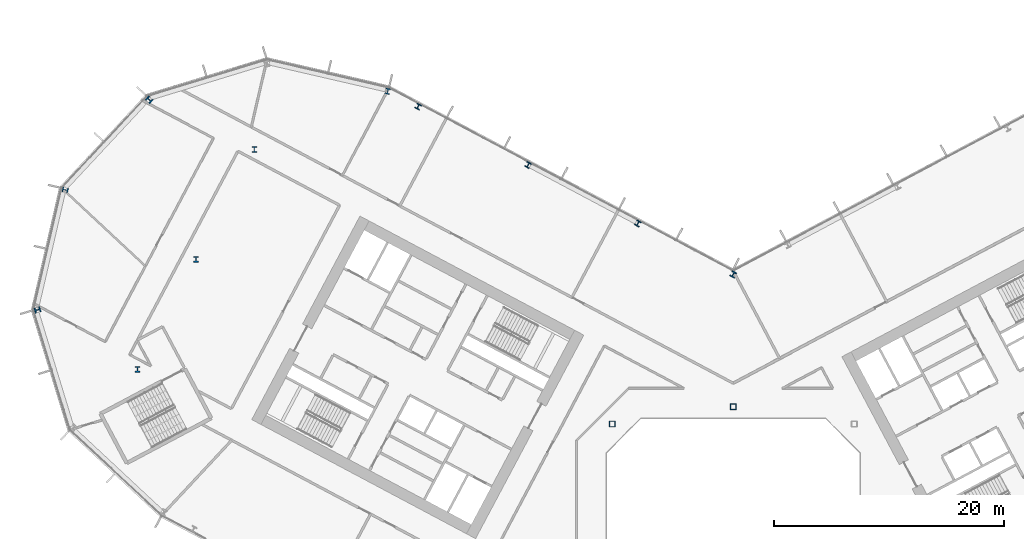
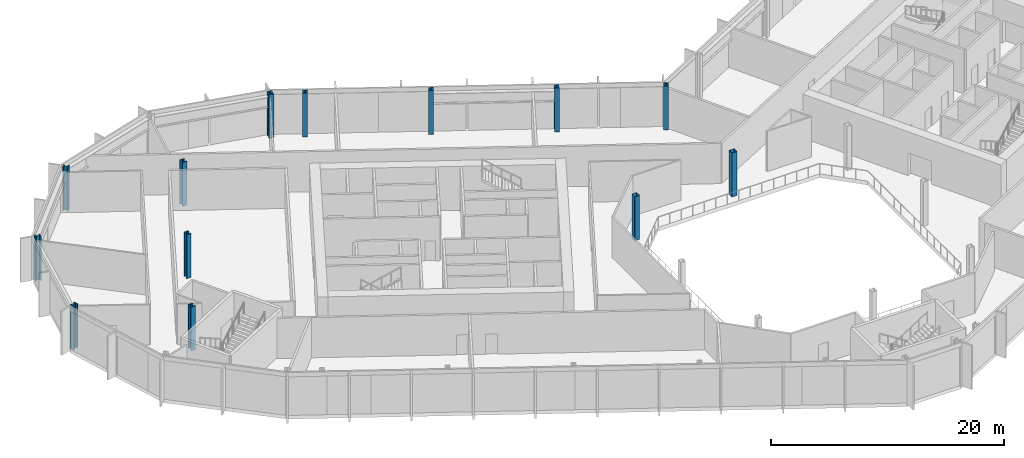
# One storey, part 2 of 32: 13 columns.
"""IFC4 building model written with IfcOpenShell, lengths in metres."""

from ifc_helpers import new_model, si_unit, direction, frame, origin, origin_2d, place, context, subcontext, project, spatial, hollow_rectangle, i_section, extrude, material, material_profile, profile_set, type_object, element, save


model = new_model("IFC4")

# Units and contexts
model_context = context("Model", 3, precision=1e-05, world=origin(), true_north=direction((0.0, 1.0)))
body_context = subcontext(model_context, "Body", "Model", "MODEL_VIEW")
ifc_project = project(units=[si_unit("LENGTHUNIT", "METRE"), si_unit("AREAUNIT", "SQUARE_METRE"), si_unit("VOLUMEUNIT", "CUBIC_METRE"), si_unit("PLANEANGLEUNIT", "RADIAN"), si_unit("MASSUNIT", "GRAM", prefix="KILO")], contexts=[model_context])

# Site, building, storey
site_placement = place(None, origin())
site = spatial("IfcSite", under=ifc_project, at=site_placement, CompositionType="ELEMENT")
building_placement = place(site_placement, origin())
building = spatial("IfcBuilding", under=site, at=building_placement, Name="Cormorant Relay Tower", CompositionType="ELEMENT")
storey_placement = place(building_placement, frame((0.0, 0.0, 66.199951171875)))
storey = spatial("IfcBuildingStorey", under=building, at=storey_placement, Name="L12", CompositionType="ELEMENT", Elevation=66.199951171875)

# Columns
ifc_material_1 = material(Name="Steel ASTM A500 Grade C (Fy 345 MPa)", Category="steel")
ifc_material_profile_1 = material_profile(ifc_material_1, hollow_rectangle(XDim=0.508056640625, YDim=0.508056640625, WallThickness=0.020751953125, InnerFilletRadius=0.01025390625, OuterFilletRadius=0.031005859375, at=origin_2d()), Name="HSS508x508x21")
ifc_profile_set_1 = profile_set([ifc_material_profile_1], Name="Steel ASTM A500 Grade C (Fy 345 MPa)")
column_type_1 = type_object("IfcColumnType", Name="Column HSS508x508x21", PredefinedType="COLUMN", material=ifc_profile_set_1)
for number, where, z_axis, x_axis, name in (
    (1, (-10.5, 10.5, 0.0), (0.0, 0.0, 1.0), (1.0, 0.0, 0.0), "Column L12-022"),
    (2, (0.0, 12.0, 0.0), (0.0, 0.0, 1.0), (1.0, 0.0, 0.0), "Column L12-024"),
):
    element("IfcColumn", number, at=place(storey_placement, frame(where, z_axis=z_axis, x_axis=x_axis)), inside=storey, type_object=column_type_1, Name=name, PredefinedType="COLUMN", context=body_context, shape_type="SweptSolid", body=[
        extrude(hollow_rectangle(XDim=0.508056640625, YDim=0.508056640625, WallThickness=0.020751953125, InnerFilletRadius=0.01025390625, OuterFilletRadius=0.031005859375, at=origin_2d()), origin(), (0.0, 0.0, 1.0), 4.60009765625),
    ])
ifc_material_2 = material(Name="Steel ASTM A992 (Fy 345 MPa)", Category="steel")
ifc_material_profile_2 = material_profile(ifc_material_2, i_section(OverallWidth=0.42431640625, OverallDepth=0.47509765625, WebThickness=0.0478515625, FlangeThickness=0.0771484375, FilletRadius=0.014892578125, at=origin_2d()), Name="W360x634")
ifc_profile_set_2 = profile_set([ifc_material_profile_2], Name="Steel ASTM A992 (Fy 345 MPa)")
column_type_2 = type_object("IfcColumnType", Name="Column W360x634", PredefinedType="COLUMN", material=ifc_profile_set_2)
for number, where, z_axis, x_axis, name in (
    (3, (-8.26611328125, 27.906982421875, 0.0), (0.0, 0.0, 1.0), (-0.882947592859, 0.469471562786, 0.0), "Column L12-036"),
    (4, (-17.802001953125, 32.97802734375, 0.0), (0.0, 0.0, 1.0), (-0.882947592859, 0.469471562786, 0.0), "Column L12-041"),
    (5, (-27.337890625, 38.048095703125, 0.0), (0.0, 0.0, 1.0), (-0.882947592859, 0.469471562786, 0.0), "Column L12-046"),
):
    element("IfcColumn", number, at=place(storey_placement, frame(where, z_axis=z_axis, x_axis=x_axis)), inside=storey, type_object=column_type_2, Name=name, PredefinedType="COLUMN", context=body_context, shape_type="SweptSolid", body=[
        extrude(i_section(OverallWidth=0.42431640625, OverallDepth=0.47509765625, WebThickness=0.0478515625, FlangeThickness=0.0771484375, FilletRadius=0.014892578125, at=origin_2d()), origin(), (0.0, 0.0, 1.0), 4.60009765625),
    ])
ifc_material_3 = material(Name="Steel ASTM A992 (Fy 345 MPa)", Category="steel")
ifc_material_profile_3 = material_profile(ifc_material_3, i_section(OverallWidth=0.43701171875, OverallDepth=0.51318359375, WebThickness=0.060546875, FlangeThickness=0.096923828125, FilletRadius=0.015380859375, at=origin_2d()), Name="W360x818")
ifc_profile_set_3 = profile_set([ifc_material_profile_3], Name="Steel ASTM A992 (Fy 345 MPa)")
column_type_3 = type_object("IfcColumnType", Name="Column W360x818", PredefinedType="COLUMN", material=ifc_profile_set_3)
for number, where, z_axis, x_axis, name in (
    (6, (-51.68994140625, 15.251953125, 0.0), (0.0, 0.0, 1.0), (1.0, 0.0, 0.0), "Column L12-027"),
    (7, (-60.3701171875, 20.406005859375, 0.0), (0.0, 0.0, 1.0), (0.292371704723, -0.956304755963, 0.0), "Column L12-030"),
    (8, (0.0, 23.48388671875, 0.0), (0.0, 0.0, 1.0), (-0.882947592859, 0.469471562786, 0.0), "Column L12-032"),
    (9, (-46.6201171875, 24.7880859375, 0.0), (0.0, 0.0, 1.0), (1.0, 0.0, 0.0), "Column L12-034"),
    (10, (-57.966064453125, 30.821044921875, 0.0), (0.0, 0.0, 1.0), (-0.224951054344, -0.974370064785, 0.0), "Column L12-038"),
    (11, (-41.549072265625, 34.323974609375, 0.0), (0.0, 0.0, 1.0), (1.0, 0.0, 0.0), "Column L12-043"),
    (12, (-50.675048828125, 38.637939453125, 0.0), (0.0, 0.0, 1.0), (-0.681998360062, -0.731353701619, 0.0), "Column L12-047"),
    (13, (-29.98193359375, 39.3779296875, 0.0), (0.0, 0.0, 1.0), (-0.974370064785, 0.224951054344, 0.0), "Column L12-048"),
):
    element("IfcColumn", number, at=place(storey_placement, frame(where, z_axis=z_axis, x_axis=x_axis)), inside=storey, type_object=column_type_3, Name=name, PredefinedType="COLUMN", context=body_context, shape_type="SweptSolid", body=[
        extrude(i_section(OverallWidth=0.43701171875, OverallDepth=0.51318359375, WebThickness=0.060546875, FlangeThickness=0.096923828125, FilletRadius=0.015380859375, at=origin_2d()), origin(), (0.0, 0.0, 1.0), 4.60009765625),
    ])

save(model, "model.ifc")
